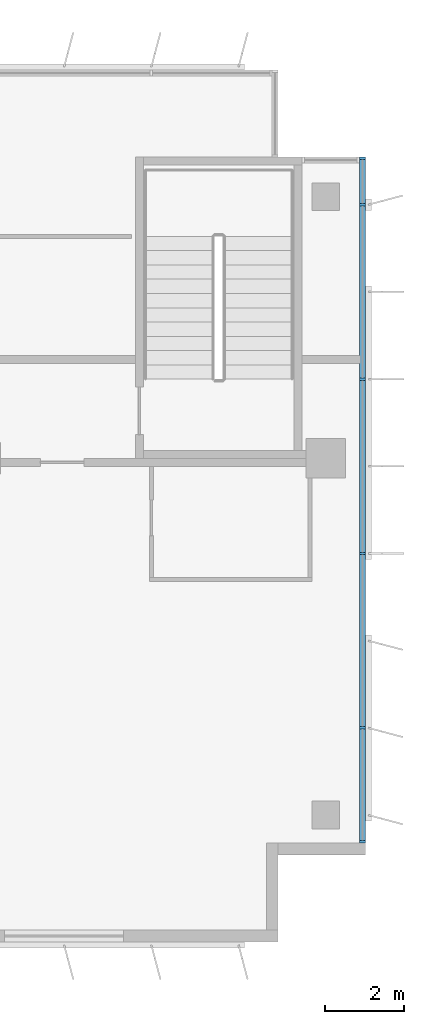
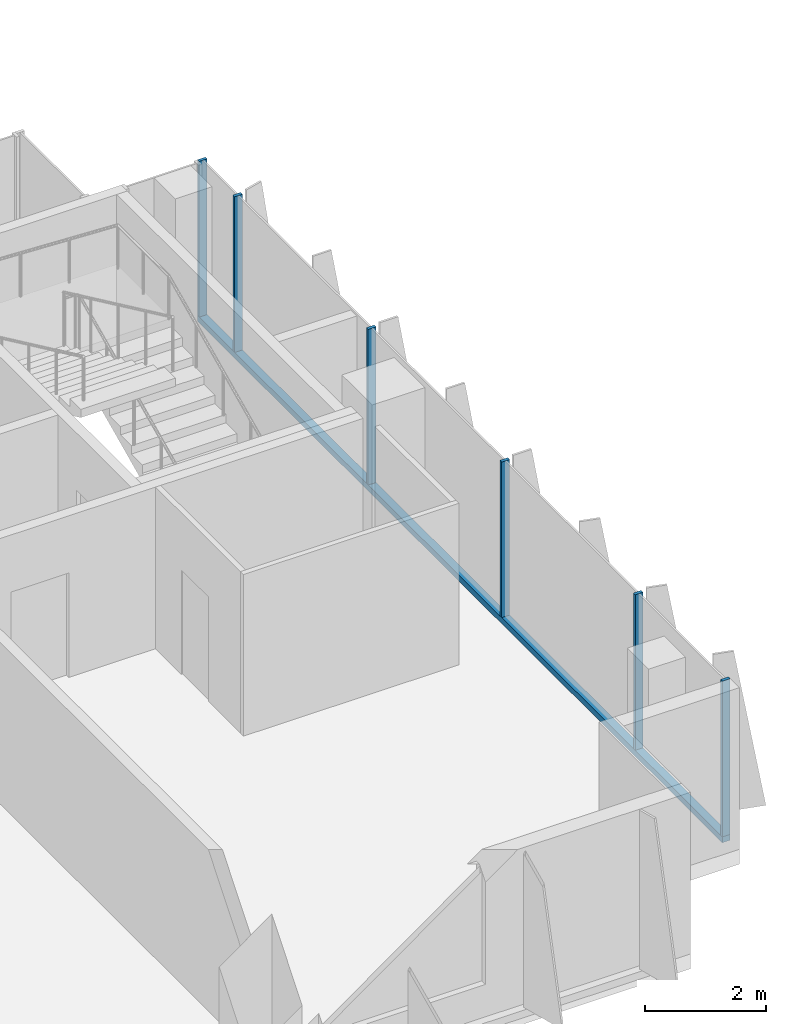
# One storey, part 8 of 20: 7 members, 1 element without a shape of its own.
"""IFC4 building model written with IfcOpenShell, lengths in metres."""

from ifc_helpers import new_model, si_unit, direction, frame, origin, origin_2d, place, context, subcontext, project, spatial, rectangle, extrude, source, transform, mapped, material, material_profile, profile_set, type_object, element, aggregate, save


model = new_model("IFC4")

# Units and contexts
model_context = context("Model", 3, precision=1e-05, world=origin(), true_north=direction((0.0, 1.0)))
body_context = subcontext(model_context, "Body", "Model", "MODEL_VIEW")
ifc_project = project(units=[si_unit("LENGTHUNIT", "METRE"), si_unit("AREAUNIT", "SQUARE_METRE"), si_unit("VOLUMEUNIT", "CUBIC_METRE"), si_unit("PLANEANGLEUNIT", "RADIAN"), si_unit("MASSUNIT", "GRAM", prefix="KILO")], contexts=[model_context])

# Site, building, storey
site_placement = place(None, origin())
site = spatial("IfcSite", under=ifc_project, at=site_placement, CompositionType="ELEMENT")
building_placement = place(site_placement, origin())
building = spatial("IfcBuilding", under=site, at=building_placement, Name="Kemantara Hotel Tower", CompositionType="ELEMENT")
storey_placement = place(building_placement, frame((0.0, 0.0, 190.10009765625)))
storey = spatial("IfcBuildingStorey", under=building, at=storey_placement, Name="L47", CompositionType="ELEMENT", Elevation=190.10009765625)

# Curtain wall, members
ifc_material_1 = material(Name="Low-E tinted double insulated glass 36 mm", Category="glass")
curtain_wall_type = type_object("IfcCurtainWallType", Name="TOWER CURTAIN WALL, FRONT FACES", PredefinedType="USERDEFINED", material=ifc_material_1)
curtain_wall_placement = place(storey_placement, origin())
curtain_wall = element("IfcCurtainWall", 1, at=curtain_wall_placement, inside=storey, type_object=curtain_wall_type, Name="CW4 L47 T3-R11-1", ObjectType="TOWER CURTAIN WALL, FRONT FACES", PredefinedType="USERDEFINED")
ifc_material_2 = material(Name="Aluminium 6063-T6 bronze anodised", Category="aluminium")
ifc_material_profile_1 = material_profile(ifc_material_2, rectangle(XDim=0.14990234375, YDim=0.1201171875, at=origin_2d()), Name="TOWER CURTAIN WALL, FRONT FACES TRANSOM")
ifc_profile_set_1 = profile_set([ifc_material_profile_1], Name="Aluminium 6063-T6 bronze anodised")
member_type_1 = type_object("IfcMemberType", Name="TOWER CURTAIN WALL, FRONT FACES TRANSOM", PredefinedType="USERDEFINED", material=ifc_profile_set_1)
member_1_placement = place(storey_placement, frame((63.52490234375, 2.5, 0.059814453125), z_axis=(0.0, 1.0, 0.0), x_axis=(-1.0, 0.0, 0.0)))
member_1 = element("IfcMember", 2, at=member_1_placement, type_object=member_type_1, Name="CW4 sill transom T3-R11-1", ObjectType="TRANSOM", PredefinedType="USERDEFINED", context=body_context, shape_type="SweptSolid", body=[
    extrude(rectangle(XDim=0.14990234375, YDim=0.1201171875, at=origin_2d()), origin(), (0.0, 0.0, 1.0), 17.300048828125),
])
ifc_material_profile_2 = material_profile(ifc_material_2, rectangle(XDim=0.14990234375, YDim=0.06005859375, at=origin_2d()), Name="TOWER CURTAIN WALL, FRONT FACES MULLION")
ifc_profile_set_2 = profile_set([ifc_material_profile_2], Name="Aluminium 6063-T6 bronze anodised")
member_type_2 = type_object("IfcMemberType", Name="TOWER CURTAIN WALL, FRONT FACES MULLION", PredefinedType="MULLION", material=ifc_profile_set_2)
shared_shape = source(origin(), body_context, "Body", "SweptSolid", [
    extrude(rectangle(XDim=0.14990234375, YDim=0.06005859375, at=origin_2d()), origin(), (0.0, 0.0, 1.0), 3.130126953125),
])
member_2_placement = place(storey_placement, frame((63.52490234375, 2.530029296875, 0.119873046875), z_axis=(0.0, 0.0, 1.0), x_axis=(-1.0, 0.0, 0.0)))
member_2 = element("IfcMember", 3, at=member_2_placement, type_object=member_type_2, Name="CW4 mullion T3-R11-1.1", PredefinedType="MULLION", context=body_context, shape_type="MappedRepresentation", body=[
    mapped(shared_shape, transform((0.0, 0.0, 0.0))),
])
member_3_placement = place(storey_placement, frame((63.52490234375, 5.39990234375, 0.119873046875), z_axis=(0.0, 0.0, 1.0), x_axis=(-1.0, 0.0, 0.0)))
member_3 = element("IfcMember", 4, at=member_3_placement, type_object=member_type_2, Name="CW4 mullion T3-R11-1.2", PredefinedType="MULLION", context=body_context, shape_type="MappedRepresentation", body=[
    mapped(shared_shape, transform((0.0, 0.0, 0.0))),
])
member_4_placement = place(storey_placement, frame((63.52490234375, 9.800048828125, 0.119873046875), z_axis=(0.0, 0.0, 1.0), x_axis=(-1.0, 0.0, 0.0)))
member_4 = element("IfcMember", 5, at=member_4_placement, type_object=member_type_2, Name="CW4 mullion T3-R11-1.3", PredefinedType="MULLION", context=body_context, shape_type="MappedRepresentation", body=[
    mapped(shared_shape, transform((0.0, 0.0, 0.0))),
])
member_5_placement = place(storey_placement, frame((63.52490234375, 14.199951171875, 0.119873046875), z_axis=(0.0, 0.0, 1.0), x_axis=(-1.0, 0.0, 0.0)))
member_5 = element("IfcMember", 6, at=member_5_placement, type_object=member_type_2, Name="CW4 mullion T3-R11-1.4", PredefinedType="MULLION", context=body_context, shape_type="MappedRepresentation", body=[
    mapped(shared_shape, transform((0.0, 0.0, 0.0))),
])
member_6_placement = place(storey_placement, frame((63.52490234375, 18.60009765625, 0.119873046875), z_axis=(0.0, 0.0, 1.0), x_axis=(-1.0, 0.0, 0.0)))
member_6 = element("IfcMember", 7, at=member_6_placement, type_object=member_type_2, Name="CW4 mullion T3-R11-1.5", PredefinedType="MULLION", context=body_context, shape_type="MappedRepresentation", body=[
    mapped(shared_shape, transform((0.0, 0.0, 0.0))),
])
member_7_placement = place(storey_placement, frame((63.52490234375, 19.77001953125, 0.119873046875), z_axis=(0.0, 0.0, 1.0), x_axis=(-1.0, 0.0, 0.0)))
member_7 = element("IfcMember", 8, at=member_7_placement, type_object=member_type_2, Name="CW4 mullion T3-R11-1.6", PredefinedType="MULLION", context=body_context, shape_type="MappedRepresentation", body=[
    mapped(shared_shape, transform((0.0, 0.0, 0.0))),
])
aggregate(curtain_wall, [member_1, member_2, member_3, member_4, member_5, member_6, member_7])

save(model, "model.ifc")
